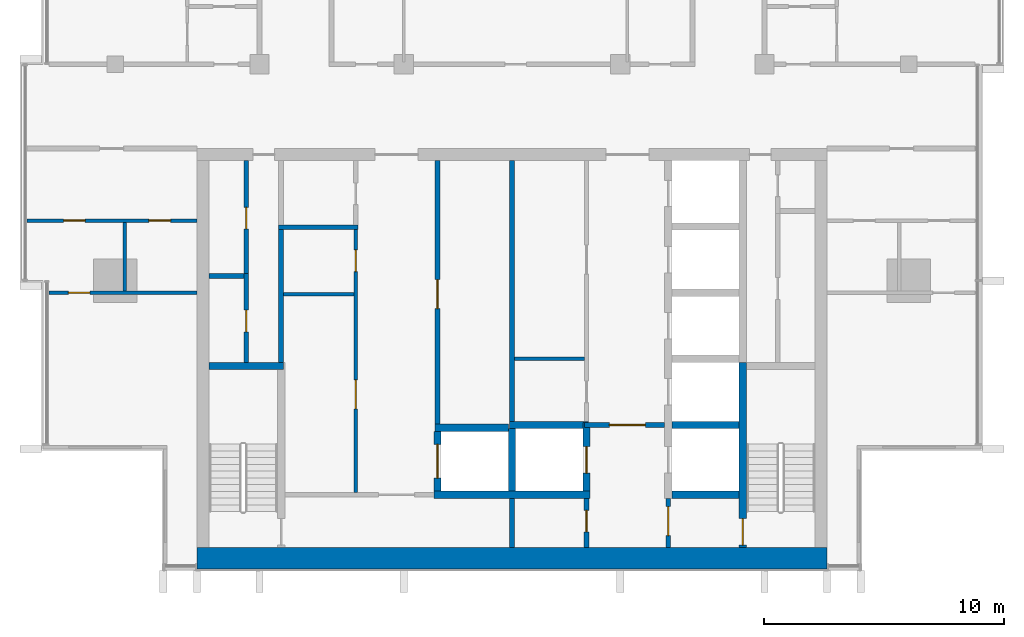
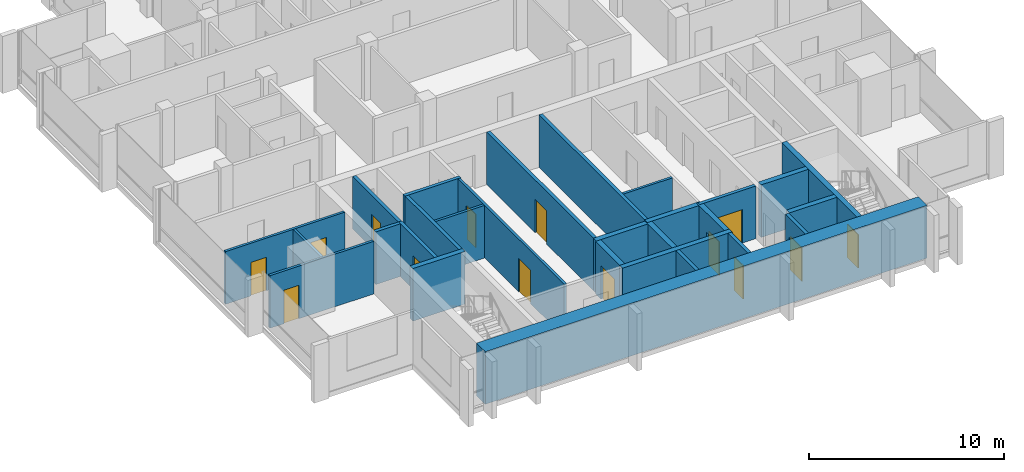
# One storey, part 7 of 16: 28 walls, 14 doors, 14 openings.
"""IFC4 building model written with IfcOpenShell, lengths in metres."""

from ifc_helpers import new_model, si_unit, direction, frame, frame_2d, origin, place, context, subcontext, project, spatial, rectangle, extrude, material, layer, layer_set, type_object, element, fill, save


model = new_model("IFC4")

# Units and contexts
model_context = context("Model", 3, precision=1e-05, world=origin(), true_north=direction((0.0, 1.0)))
body_context = subcontext(model_context, "Body", "Model", "MODEL_VIEW")
ifc_project = project(units=[si_unit("LENGTHUNIT", "METRE"), si_unit("AREAUNIT", "SQUARE_METRE"), si_unit("VOLUMEUNIT", "CUBIC_METRE"), si_unit("PLANEANGLEUNIT", "RADIAN"), si_unit("MASSUNIT", "GRAM", prefix="KILO")], contexts=[model_context])

# Site, building, storey
site_placement = place(None, origin())
site = spatial("IfcSite", under=ifc_project, at=site_placement, CompositionType="ELEMENT")
building_placement = place(site_placement, origin())
building = spatial("IfcBuilding", under=site, at=building_placement, Name="Finial Court Residences", CompositionType="ELEMENT")
storey_placement = place(building_placement, frame((0.0, 0.0, 291.5)))
storey = spatial("IfcBuildingStorey", under=building, at=storey_placement, Name="L74", CompositionType="ELEMENT", Elevation=291.5)

# Walls
ifc_material_1 = material(Name="Fire-rated gypsum board partition")
ifc_layer_1 = layer(ifc_material_1, 0.14990234375)
ifc_layer_set_1 = layer_set([ifc_layer_1], Name="Core room partition 150 EI 60")
wall_type_1 = type_object("IfcWallType", Name="Core room partition 150 EI 60", PredefinedType="PARTITIONING", material=ifc_layer_set_1)
wall_1_placement = place(storey_placement, frame((0.10009765625, -16.75, 0.0), z_axis=(0.0, 0.0, 1.0), x_axis=(1.0, 0.0, 0.0)))
element("IfcWall", 1, at=wall_1_placement, inside=storey, type_object=wall_type_1, Name="Core partition L74-10", PredefinedType="PARTITIONING", context=body_context, shape_type="SweptSolid", body=[
    extrude(rectangle(XDim=2.9248046875, YDim=0.14990234375, at=frame_2d((1.46240234375, 0.0))), origin(), (0.0, 0.0, 1.0), 3.300048828125),
])
wall_2_placement = place(storey_placement, frame((-9.5, -14.06005859375, 0.0), z_axis=(0.0, 0.0, 1.0), x_axis=(1.0, 0.0, 0.0)))
element("IfcWall", 2, at=wall_2_placement, inside=storey, type_object=wall_type_1, Name="Core partition L74-12", PredefinedType="PARTITIONING", context=body_context, shape_type="SweptSolid", body=[
    extrude(rectangle(XDim=2.925048828125, YDim=0.14990234375, at=frame_2d((1.46240234375, 0.0))), origin(), (0.0, 0.0, 1.0), 3.300048828125),
])

# Wall, openings, doors
wall_3_placement = place(storey_placement, frame((-6.5, -22.300048828125, 0.0), z_axis=(0.0, 0.0, 1.0), x_axis=(0.0, 1.0, 0.0)))
wall_3 = element("IfcWall", 3, at=wall_3_placement, inside=storey, type_object=wall_type_1, Name="Core partition L74-23", PredefinedType="PARTITIONING", context=body_context, shape_type="SweptSolid", body=[
    extrude(rectangle(XDim=10.920166015625, YDim=0.14990234375, at=frame_2d((5.4599609375, 0.0))), origin(), (0.0, 0.0, 1.0), 3.300048828125),
])
opening_1_placement = place(wall_3_placement, frame((3.469970703125, 0.0, 0.0)))
opening_1 = element("IfcOpeningElement", 4, at=opening_1_placement, cuts=wall_3, Name="Opening L74-C15", PredefinedType="OPENING", context=body_context, shape_type="SweptSolid", body=[
    extrude(rectangle(XDim=1.199951171875, YDim=2.10009765625, at=frame_2d((0.60009765625, 1.050048828125))), frame((0.0, 0.0849609375, 0.0), z_axis=(0.0, -1.0, 0.0), x_axis=(1.0, 0.0, 0.0)), (0.0, 0.0, 1.0), 0.169921875),
])
opening_2_placement = place(wall_3_placement, frame((9.179931640625, 0.0, 0.0)))
opening_2 = element("IfcOpeningElement", 5, at=opening_2_placement, cuts=wall_3, Name="Opening L74-C16", PredefinedType="OPENING", context=body_context, shape_type="SweptSolid", body=[
    extrude(rectangle(XDim=0.89990234375, YDim=2.10009765625, at=frame_2d((0.449951171875, 1.050048828125))), frame((0.0, 0.0849609375, 0.0), z_axis=(0.0, -1.0, 0.0), x_axis=(1.0, 0.0, 0.0)), (0.0, 0.0, 1.0), 0.169921875),
])
ifc_material_2 = material(Name="Steel fire door", Category="steel")
door_type_1 = type_object("IfcDoorType", Name="Core room door 1200 x 2100 EI 60", OperationType="NOTDEFINED", PredefinedType="DOOR", material=ifc_material_2)
door_1_placement = place(opening_1_placement, origin())
door_1 = element("IfcDoor", 6, at=door_1_placement, inside=storey, type_object=door_type_1, Name="Core room door L74-C15", OperationType="SINGLE_SWING_LEFT", OverallHeight=2.10009765625, OverallWidth=1.199951171875, PredefinedType="DOOR", context=body_context, shape_type="SweptSolid", body=[
    extrude(rectangle(XDim=1.199951171875, YDim=2.10009765625, at=frame_2d((0.60009765625, 1.050048828125))), frame((0.0, 0.02490234375, 0.0), z_axis=(0.0, -1.0, 0.0), x_axis=(1.0, 0.0, 0.0)), (0.0, 0.0, 1.0), 0.050048828125),
])
fill(opening_1, door_1)
door_type_2 = type_object("IfcDoorType", Name="Core room door 900 x 2100 EI 60", OperationType="NOTDEFINED", PredefinedType="DOOR", material=ifc_material_2)
door_2_placement = place(opening_2_placement, origin())
door_2 = element("IfcDoor", 7, at=door_2_placement, inside=storey, type_object=door_type_2, Name="Core room door L74-C16", OperationType="SINGLE_SWING_LEFT", OverallHeight=2.10009765625, OverallWidth=0.89990234375, PredefinedType="DOOR", context=body_context, shape_type="SweptSolid", body=[
    extrude(rectangle(XDim=0.89990234375, YDim=2.10009765625, at=frame_2d((0.449951171875, 1.050048828125))), frame((0.0, 0.02490234375, 0.0), z_axis=(0.0, -1.0, 0.0), x_axis=(1.0, 0.0, 0.0)), (0.0, 0.0, 1.0), 0.050048828125),
])
fill(opening_2, door_2)

# Wall
ifc_material_3 = material(Name="Concrete C50/60", Category="concrete")
ifc_layer_2 = layer(ifc_material_3, 0.89990234375)
ifc_layer_set_2 = layer_set([ifc_layer_2], Name="Core south facade wall 900 Concrete C50/60")
wall_type_2 = type_object("IfcWallType", Name="Core south facade wall 900 Concrete C50/60", PredefinedType="SHEAR", material=ifc_layer_set_2)
wall_4_placement = place(storey_placement, frame((-13.10009765625, -25.050048828125, 0.0), z_axis=(0.0, 0.0, 1.0), x_axis=(1.0, 0.0, 0.0)))
element("IfcWall", 8, at=wall_4_placement, inside=storey, type_object=wall_type_2, Name="Core outer wall L74-01", PredefinedType="SHEAR", context=body_context, shape_type="SweptSolid", body=[
    extrude(rectangle(XDim=26.2001953125, YDim=0.89990234375, at=frame_2d((13.10009765625, 0.0))), origin(), (0.0, 0.0, 1.0), 3.300048828125),
])

# Wall, opening, door
ifc_layer_3 = layer(ifc_material_1, 0.199951171875)
ifc_layer_set_3 = layer_set([ifc_layer_3], Name="Firefighting lobby wall 200 EI 120")
wall_type_3 = type_object("IfcWallType", Name="Firefighting lobby wall 200 EI 120", PredefinedType="PARTITIONING", material=ifc_layer_set_3)
wall_5_placement = place(storey_placement, frame((6.35009765625, -19.5, 0.0), z_axis=(0.0, 0.0, 1.0), x_axis=(-1.0, 0.0, 0.0)))
wall_5 = element("IfcWall", 9, at=wall_5_placement, inside=storey, type_object=wall_type_3, Name="Core partition L74-06", PredefinedType="PARTITIONING", context=body_context, shape_type="SweptSolid", body=[
    extrude(rectangle(XDim=3.3251953125, YDim=0.199951171875, at=frame_2d((1.66259765625, 0.0))), origin(), (0.0, 0.0, 1.0), 3.300048828125),
])
opening_3_placement = place(wall_5_placement, frame((0.800048828125, 0.0, 0.0)))
opening_3 = element("IfcOpeningElement", 10, at=opening_3_placement, cuts=wall_5, Name="Opening L74-C02", PredefinedType="OPENING", context=body_context, shape_type="SweptSolid", body=[
    extrude(rectangle(XDim=1.5, YDim=2.10009765625, at=frame_2d((0.75, 1.050048828125))), frame((0.0, 0.10986328125, 0.0), z_axis=(0.0, -1.0, 0.0), x_axis=(1.0, 0.0, 0.0)), (0.0, 0.0, 1.0), 0.219970703125),
])
door_type_3 = type_object("IfcDoorType", Name="Firefighting lobby door 1500 x 2100 EI 90", OperationType="DOUBLE_DOOR_SINGLE_SWING", PredefinedType="DOOR", material=ifc_material_2)
door_3_placement = place(opening_3_placement, origin())
door_3 = element("IfcDoor", 11, at=door_3_placement, inside=storey, type_object=door_type_3, Name="Firefighting lobby door L74-C02", OperationType="DOUBLE_DOOR_SINGLE_SWING", OverallHeight=2.10009765625, OverallWidth=1.5, PredefinedType="DOOR", context=body_context, shape_type="SweptSolid", body=[
    extrude(rectangle(XDim=1.5, YDim=2.10009765625, at=frame_2d((0.75, 1.050048828125))), frame((0.0, 0.02490234375, 0.0), z_axis=(0.0, -1.0, 0.0), x_axis=(1.0, 0.0, 0.0)), (0.0, 0.0, 1.0), 0.050048828125),
])
fill(opening_3, door_3)

wall_6_placement = place(storey_placement, frame((3.10009765625, -24.60009765625, 0.0), z_axis=(0.0, 0.0, 1.0), x_axis=(0.0, 1.0, 0.0)))
wall_6 = element("IfcWall", 12, at=wall_6_placement, inside=storey, type_object=wall_type_3, Name="Core partition L74-30", PredefinedType="PARTITIONING", context=body_context, shape_type="SweptSolid", body=[
    extrude(rectangle(XDim=2.050048828125, YDim=0.199951171875, at=frame_2d((1.02490234375, 0.0))), origin(), (0.0, 0.0, 1.0), 3.300048828125),
])
opening_4_placement = place(wall_6_placement, frame((0.64990234375, 0.0, 0.0)))
opening_4 = element("IfcOpeningElement", 13, at=opening_4_placement, cuts=wall_6, Name="Opening L74-C06", PredefinedType="OPENING", context=body_context, shape_type="SweptSolid", body=[
    extrude(rectangle(XDim=0.89990234375, YDim=2.10009765625, at=frame_2d((0.449951171875, 1.050048828125))), frame((0.0, 0.10986328125, 0.0), z_axis=(0.0, -1.0, 0.0), x_axis=(1.0, 0.0, 0.0)), (0.0, 0.0, 1.0), 0.219970703125),
])
door_type_4 = type_object("IfcDoorType", Name="Riser room door 900 x 2100 EI 90", OperationType="NOTDEFINED", PredefinedType="DOOR", material=ifc_material_2)
door_4_placement = place(opening_4_placement, origin())
door_4 = element("IfcDoor", 14, at=door_4_placement, inside=storey, type_object=door_type_4, Name="Riser room door L74-C06", OperationType="SINGLE_SWING_LEFT", OverallHeight=2.10009765625, OverallWidth=0.89990234375, PredefinedType="DOOR", context=body_context, shape_type="SweptSolid", body=[
    extrude(rectangle(XDim=0.89990234375, YDim=2.10009765625, at=frame_2d((0.449951171875, 1.050048828125))), frame((0.0, 0.02490234375, 0.0), z_axis=(0.0, -1.0, 0.0), x_axis=(1.0, 0.0, 0.0)), (0.0, 0.0, 1.0), 0.050048828125),
])
fill(opening_4, door_4)

wall_7_placement = place(storey_placement, frame((6.5, -22.550048828125, 0.0), z_axis=(0.0, 0.0, 1.0), x_axis=(0.0, -1.0, 0.0)))
wall_7 = element("IfcWall", 15, at=wall_7_placement, inside=storey, type_object=wall_type_3, Name="Core partition L74-33", PredefinedType="PARTITIONING", context=body_context, shape_type="SweptSolid", body=[
    extrude(rectangle(XDim=2.050048828125, YDim=0.199951171875, at=frame_2d((1.02490234375, 0.0))), origin(), (0.0, 0.0, 1.0), 3.300048828125),
])
opening_5_placement = place(wall_7_placement, frame((0.35009765625, 0.0, 0.0)))
opening_5 = element("IfcOpeningElement", 16, at=opening_5_placement, cuts=wall_7, Name="Opening L74-C01", PredefinedType="OPENING", context=body_context, shape_type="SweptSolid", body=[
    extrude(rectangle(XDim=1.199951171875, YDim=2.10009765625, at=frame_2d((0.60009765625, 1.050048828125))), frame((0.0, 0.10986328125, 0.0), z_axis=(0.0, -1.0, 0.0), x_axis=(1.0, 0.0, 0.0)), (0.0, 0.0, 1.0), 0.219970703125),
])
door_type_5 = type_object("IfcDoorType", Name="Firefighting lobby door 1200 x 2100 EI 90", OperationType="NOTDEFINED", PredefinedType="DOOR", material=ifc_material_2)
door_5_placement = place(opening_5_placement, origin())
door_5 = element("IfcDoor", 17, at=door_5_placement, inside=storey, type_object=door_type_5, Name="Firefighting lobby door L74-C01", OperationType="SINGLE_SWING_RIGHT", OverallHeight=2.10009765625, OverallWidth=1.199951171875, PredefinedType="DOOR", context=body_context, shape_type="SweptSolid", body=[
    extrude(rectangle(XDim=1.199951171875, YDim=2.10009765625, at=frame_2d((0.60009765625, 1.050048828125))), frame((0.0, 0.02490234375, 0.0), z_axis=(0.0, -1.0, 0.0), x_axis=(1.0, 0.0, 0.0)), (0.0, 0.0, 1.0), 0.050048828125),
])
fill(opening_5, door_5)

ifc_material_4 = material(Name="Moisture-resistant gypsum board")
ifc_layer_4 = layer(ifc_material_4, 0.012451171875)
ifc_material_5 = material(Name="Mineral wool in light-gauge frame")
ifc_layer_5 = layer(ifc_material_5, 0.125)
ifc_layer_6 = layer(ifc_material_4, 0.012451171875)
ifc_layer_set_4 = layer_set([ifc_layer_4, ifc_layer_5, ifc_layer_6], Name="Gypsum board wet-area partition 150")
wall_type_4 = type_object("IfcWallType", Name="Gypsum board wet-area partition 150", PredefinedType="PARTITIONING", material=ifc_layer_set_4)
wall_8_placement = place(storey_placement, frame((-19.262451171875, -14.0, 0.0), z_axis=(0.0, 0.0, 1.0), x_axis=(1.0, 0.0, 0.0)))
wall_8 = element("IfcWall", 18, at=wall_8_placement, inside=storey, type_object=wall_type_4, Name="Partition L74-000", PredefinedType="PARTITIONING", context=body_context, shape_type="SweptSolid", body=[
    extrude(rectangle(XDim=6.162353515625, YDim=0.14990234375, at=frame_2d((3.0810546875, 0.0))), origin(), (0.0, 0.0, 1.0), 3.300048828125),
])
opening_6_placement = place(wall_8_placement, frame((0.81201171875, 0.0, 0.0)))
opening_6 = element("IfcOpeningElement", 19, at=opening_6_placement, cuts=wall_8, Name="Opening L74-D001", PredefinedType="OPENING", context=body_context, shape_type="SweptSolid", body=[
    extrude(rectangle(XDim=0.89990234375, YDim=2.10009765625, at=frame_2d((0.449951171875, 1.050048828125))), frame((0.0, 0.0849609375, 0.0), z_axis=(0.0, -1.0, 0.0), x_axis=(1.0, 0.0, 0.0)), (0.0, 0.0, 1.0), 0.169921875),
])
ifc_material_6 = material(Name="Timber door leaf in timber frame", Category="wood")
door_type_6 = type_object("IfcDoorType", Name="Door set 900 x 2100", OperationType="SINGLE_SWING_LEFT", PredefinedType="DOOR", material=ifc_material_6)
door_6_placement = place(opening_6_placement, origin())
door_6 = element("IfcDoor", 20, at=door_6_placement, inside=storey, type_object=door_type_6, Name="Door L74-D001", OperationType="SINGLE_SWING_LEFT", OverallHeight=2.10009765625, OverallWidth=0.89990234375, PredefinedType="DOOR", context=body_context, shape_type="SweptSolid", body=[
    extrude(rectangle(XDim=0.89990234375, YDim=2.10009765625, at=frame_2d((0.449951171875, 1.050048828125))), frame((0.0, 0.02490234375, 0.0), z_axis=(0.0, -1.0, 0.0), x_axis=(1.0, 0.0, 0.0)), (0.0, 0.0, 1.0), 0.050048828125),
])
fill(opening_6, door_6)

# Wall, openings, doors
wall_9_placement = place(storey_placement, frame((-20.16259765625, -11.0, 0.0), z_axis=(0.0, 0.0, 1.0), x_axis=(1.0, 0.0, 0.0)))
wall_9 = element("IfcWall", 21, at=wall_9_placement, inside=storey, type_object=wall_type_4, Name="Partition L74-002", PredefinedType="PARTITIONING", context=body_context, shape_type="SweptSolid", body=[
    extrude(rectangle(XDim=7.0625, YDim=0.14990234375, at=frame_2d((3.53125, 0.0))), origin(), (0.0, 0.0, 1.0), 3.300048828125),
])
opening_7_placement = place(wall_9_placement, frame((1.512939453125, 0.0, 0.0)))
opening_7 = element("IfcOpeningElement", 22, at=opening_7_placement, cuts=wall_9, Name="Opening L74-D003", PredefinedType="OPENING", context=body_context, shape_type="SweptSolid", body=[
    extrude(rectangle(XDim=0.89990234375, YDim=2.10009765625, at=frame_2d((0.449951171875, 1.050048828125))), frame((0.0, 0.0849609375, 0.0), z_axis=(0.0, -1.0, 0.0), x_axis=(1.0, 0.0, 0.0)), (0.0, 0.0, 1.0), 0.169921875),
])
opening_8_placement = place(wall_9_placement, frame((5.06298828125, 0.0, 0.0)))
opening_8 = element("IfcOpeningElement", 23, at=opening_8_placement, cuts=wall_9, Name="Opening L74-D004", PredefinedType="OPENING", context=body_context, shape_type="SweptSolid", body=[
    extrude(rectangle(XDim=0.89990234375, YDim=2.10009765625, at=frame_2d((0.449951171875, 1.050048828125))), frame((0.0, 0.0849609375, 0.0), z_axis=(0.0, -1.0, 0.0), x_axis=(1.0, 0.0, 0.0)), (0.0, 0.0, 1.0), 0.169921875),
])
door_7_placement = place(opening_7_placement, origin())
door_7 = element("IfcDoor", 24, at=door_7_placement, inside=storey, type_object=door_type_6, Name="Door L74-D003", OperationType="SINGLE_SWING_LEFT", OverallHeight=2.10009765625, OverallWidth=0.89990234375, PredefinedType="DOOR", context=body_context, shape_type="SweptSolid", body=[
    extrude(rectangle(XDim=0.89990234375, YDim=2.10009765625, at=frame_2d((0.449951171875, 1.050048828125))), frame((0.0, 0.02490234375, 0.0), z_axis=(0.0, -1.0, 0.0), x_axis=(1.0, 0.0, 0.0)), (0.0, 0.0, 1.0), 0.050048828125),
])
fill(opening_7, door_7)
door_8_placement = place(opening_8_placement, origin())
door_8 = element("IfcDoor", 25, at=door_8_placement, inside=storey, type_object=door_type_6, Name="Door L74-D004", OperationType="SINGLE_SWING_RIGHT", OverallHeight=2.10009765625, OverallWidth=0.89990234375, PredefinedType="DOOR", context=body_context, shape_type="SweptSolid", body=[
    extrude(rectangle(XDim=0.89990234375, YDim=2.10009765625, at=frame_2d((0.449951171875, 1.050048828125))), frame((0.0, 0.02490234375, 0.0), z_axis=(0.0, -1.0, 0.0), x_axis=(1.0, 0.0, 0.0)), (0.0, 0.0, 1.0), 0.050048828125),
])
fill(opening_8, door_8)

# Walls
wall_10_placement = place(storey_placement, frame((-16.10009765625, -13.925048828125, 0.0), z_axis=(0.0, 0.0, 1.0), x_axis=(0.0, 1.0, 0.0)))
element("IfcWall", 26, at=wall_10_placement, inside=storey, type_object=wall_type_4, Name="Partition L74-031", PredefinedType="PARTITIONING", context=body_context, shape_type="SweptSolid", body=[
    extrude(rectangle(XDim=2.85009765625, YDim=0.14990234375, at=frame_2d((1.425048828125, 0.0))), origin(), (0.0, 0.0, 1.0), 3.300048828125),
])
ifc_layer_7 = layer(ifc_material_3, 0.300048828125)
ifc_layer_set_5 = layer_set([ifc_layer_7], Name="Lift shaft and stair wall 300 Concrete C50/60")
wall_type_5 = type_object("IfcWallType", Name="Lift shaft and stair wall 300 Concrete C50/60", PredefinedType="SHEAR", material=ifc_layer_set_5)
wall_11_placement = place(storey_placement, frame((-3.25, -22.39990234375, 0.0), z_axis=(0.0, 0.0, 1.0), x_axis=(1.0, 0.0, 0.0)))
element("IfcWall", 27, at=wall_11_placement, inside=storey, type_object=wall_type_5, Name="Core wall L74-02", PredefinedType="SHEAR", context=body_context, shape_type="SweptSolid", body=[
    extrude(rectangle(XDim=6.5, YDim=0.300048828125, at=frame_2d((3.25, 0.0))), origin(), (0.0, 0.0, 1.0), 3.300048828125),
])
wall_12_placement = place(storey_placement, frame((6.64990234375, -22.39990234375, 0.0), z_axis=(0.0, 0.0, 1.0), x_axis=(1.0, 0.0, 0.0)))
element("IfcWall", 28, at=wall_12_placement, inside=storey, type_object=wall_type_5, Name="Core wall L74-03", PredefinedType="SHEAR", context=body_context, shape_type="SweptSolid", body=[
    extrude(rectangle(XDim=2.800048828125, YDim=0.300048828125, at=frame_2d((1.39990234375, 0.0))), origin(), (0.0, 0.0, 1.0), 3.300048828125),
])
wall_13_placement = place(storey_placement, frame((-3.199951171875, -19.6201171875, 0.0), z_axis=(0.0, 0.0, 1.0), x_axis=(1.0, 0.0, 0.0)))
element("IfcWall", 29, at=wall_13_placement, inside=storey, type_object=wall_type_5, Name="Core wall L74-04", PredefinedType="SHEAR", context=body_context, shape_type="SweptSolid", body=[
    extrude(rectangle(XDim=3.050048828125, YDim=0.300048828125, at=frame_2d((1.52490234375, 0.0))), origin(), (0.0, 0.0, 1.0), 3.300048828125),
])
wall_14_placement = place(storey_placement, frame((-0.10009765625, -19.5, 0.0), z_axis=(0.0, 0.0, 1.0), x_axis=(1.0, 0.0, 0.0)))
element("IfcWall", 30, at=wall_14_placement, inside=storey, type_object=wall_type_5, Name="Core wall L74-05", PredefinedType="SHEAR", context=body_context, shape_type="SweptSolid", body=[
    extrude(rectangle(XDim=3.275146484375, YDim=0.300048828125, at=frame_2d((1.6376953125, 0.0))), origin(), (0.0, 0.0, 1.0), 3.300048828125),
])
wall_15_placement = place(storey_placement, frame((6.64990234375, -19.5, 0.0), z_axis=(0.0, 0.0, 1.0), x_axis=(1.0, 0.0, 0.0)))
element("IfcWall", 31, at=wall_15_placement, inside=storey, type_object=wall_type_5, Name="Core wall L74-07", PredefinedType="SHEAR", context=body_context, shape_type="SweptSolid", body=[
    extrude(rectangle(XDim=2.800048828125, YDim=0.300048828125, at=frame_2d((1.39990234375, 0.0))), origin(), (0.0, 0.0, 1.0), 3.300048828125),
])
wall_16_placement = place(storey_placement, frame((-12.60009765625, -17.050048828125, 0.0), z_axis=(0.0, 0.0, 1.0), x_axis=(1.0, 0.0, 0.0)))
element("IfcWall", 32, at=wall_16_placement, inside=storey, type_object=wall_type_5, Name="Core wall L74-08", PredefinedType="SHEAR", context=body_context, shape_type="SweptSolid", body=[
    extrude(rectangle(XDim=3.10009765625, YDim=0.300048828125, at=frame_2d((1.550048828125, 0.0))), origin(), (0.0, 0.0, 1.0), 3.300048828125),
])

# Wall, opening, door
wall_17_placement = place(storey_placement, frame((-3.10009765625, -22.25, 0.0), z_axis=(0.0, 0.0, 1.0), x_axis=(0.0, 1.0, 0.0)))
wall_17 = element("IfcWall", 33, at=wall_17_placement, inside=storey, type_object=wall_type_5, Name="Core wall L74-25", PredefinedType="SHEAR", context=body_context, shape_type="SweptSolid", body=[
    extrude(rectangle(XDim=2.47998046875, YDim=0.300048828125, at=frame_2d((1.239990234375, 0.0))), origin(), (0.0, 0.0, 1.0), 3.300048828125),
])
opening_9_placement = place(wall_17_placement, frame((0.5400390625, 0.0, 0.0)))
opening_9 = element("IfcOpeningElement", 34, at=opening_9_placement, cuts=wall_17, Name="Opening L74-LD07", PredefinedType="OPENING", context=body_context, shape_type="SweptSolid", body=[
    extrude(rectangle(XDim=1.39990234375, YDim=2.10009765625, at=frame_2d((0.699951171875, 1.050048828125))), frame((0.0, 0.159912109375, 0.0), z_axis=(0.0, -1.0, 0.0), x_axis=(1.0, 0.0, 0.0)), (0.0, 0.0, 1.0), 0.320068359375),
])
ifc_material_7 = material(Name="Stainless steel lift door", Category="steel")
door_type_7 = type_object("IfcDoorType", Name="Lift landing door 1400 x 2100 EI 90", OperationType="DOUBLE_DOOR_SLIDING", PredefinedType="DOOR", material=ifc_material_7)
door_9_placement = place(opening_9_placement, origin())
door_9 = element("IfcDoor", 35, at=door_9_placement, inside=storey, type_object=door_type_7, Name="Lift landing door SV1 L74", OperationType="DOUBLE_DOOR_SLIDING", OverallHeight=2.10009765625, OverallWidth=1.39990234375, PredefinedType="DOOR", context=body_context, shape_type="SweptSolid", body=[
    extrude(rectangle(XDim=1.39990234375, YDim=2.10009765625, at=frame_2d((0.699951171875, 1.050048828125))), frame((0.0, 0.02490234375, 0.0), z_axis=(0.0, -1.0, 0.0), x_axis=(1.0, 0.0, 0.0)), (0.0, 0.0, 1.0), 0.050048828125),
])
fill(opening_9, door_9)

# Wall
wall_18_placement = place(storey_placement, frame((0.0, -22.25, 0.0), z_axis=(0.0, 0.0, 1.0), x_axis=(0.0, 1.0, 0.0)))
element("IfcWall", 36, at=wall_18_placement, inside=storey, type_object=wall_type_5, Name="Core wall L74-28", PredefinedType="SHEAR", context=body_context, shape_type="SweptSolid", body=[
    extrude(rectangle(XDim=2.60009765625, YDim=0.300048828125, at=frame_2d((1.300048828125, 0.0))), origin(), (0.0, 0.0, 1.0), 3.300048828125),
])

# Wall, opening, door
wall_19_placement = place(storey_placement, frame((3.10009765625, -22.25, 0.0), z_axis=(0.0, 0.0, 1.0), x_axis=(0.0, 1.0, 0.0)))
wall_19 = element("IfcWall", 37, at=wall_19_placement, inside=storey, type_object=wall_type_5, Name="Core wall L74-31", PredefinedType="SHEAR", context=body_context, shape_type="SweptSolid", body=[
    extrude(rectangle(XDim=2.85009765625, YDim=0.300048828125, at=frame_2d((1.425048828125, 0.0))), origin(), (0.0, 0.0, 1.0), 3.300048828125),
])
opening_10_placement = place(wall_19_placement, frame((0.75, 0.0, 0.0)))
opening_10 = element("IfcOpeningElement", 38, at=opening_10_placement, cuts=wall_19, Name="Opening L74-LD01", PredefinedType="OPENING", context=body_context, shape_type="SweptSolid", body=[
    extrude(rectangle(XDim=1.10009765625, YDim=2.10009765625, at=frame_2d((0.550048828125, 1.050048828125))), frame((0.0, 0.159912109375, 0.0), z_axis=(0.0, -1.0, 0.0), x_axis=(1.0, 0.0, 0.0)), (0.0, 0.0, 1.0), 0.320068359375),
])
door_type_8 = type_object("IfcDoorType", Name="Lift landing door 1100 x 2100 EI 90", OperationType="DOUBLE_DOOR_SLIDING", PredefinedType="DOOR", material=ifc_material_7)
door_10_placement = place(opening_10_placement, origin())
door_10 = element("IfcDoor", 39, at=door_10_placement, inside=storey, type_object=door_type_8, Name="Lift landing door FF1 L74", OperationType="DOUBLE_DOOR_SLIDING", OverallHeight=2.10009765625, OverallWidth=1.10009765625, PredefinedType="DOOR", context=body_context, shape_type="SweptSolid", body=[
    extrude(rectangle(XDim=1.10009765625, YDim=2.10009765625, at=frame_2d((0.550048828125, 1.050048828125))), frame((0.0, 0.02490234375, 0.0), z_axis=(0.0, -1.0, 0.0), x_axis=(1.0, 0.0, 0.0)), (0.0, 0.0, 1.0), 0.050048828125),
])
fill(opening_10, door_10)

wall_20_placement = place(storey_placement, frame((9.60009765625, -16.89990234375, 0.0), z_axis=(0.0, 0.0, 1.0), x_axis=(0.0, -1.0, 0.0)))
wall_20 = element("IfcWall", 40, at=wall_20_placement, inside=storey, type_object=wall_type_5, Name="Core wall L74-35", PredefinedType="SHEAR", context=body_context, shape_type="SweptSolid", body=[
    extrude(rectangle(XDim=7.7001953125, YDim=0.300048828125, at=frame_2d((3.85009765625, 0.0))), origin(), (0.0, 0.0, 1.0), 3.300048828125),
])
opening_11_placement = place(wall_20_placement, frame((6.5, 0.0, 0.0)))
opening_11 = element("IfcOpeningElement", 41, at=opening_11_placement, cuts=wall_20, Name="Opening L74-C20", PredefinedType="OPENING", context=body_context, shape_type="SweptSolid", body=[
    extrude(rectangle(XDim=1.10009765625, YDim=2.10009765625, at=frame_2d((0.550048828125, 1.050048828125))), frame((0.0, 0.159912109375, 0.0), z_axis=(0.0, -1.0, 0.0), x_axis=(1.0, 0.0, 0.0)), (0.0, 0.0, 1.0), 0.320068359375),
])
door_type_9 = type_object("IfcDoorType", Name="Stair door 1100 x 2100 EI 90", OperationType="NOTDEFINED", PredefinedType="DOOR", material=ifc_material_2)
door_11_placement = place(opening_11_placement, origin())
door_11 = element("IfcDoor", 42, at=door_11_placement, inside=storey, type_object=door_type_9, Name="Stair door L74-C20", OperationType="SINGLE_SWING_RIGHT", OverallHeight=2.10009765625, OverallWidth=1.10009765625, PredefinedType="DOOR", context=body_context, shape_type="SweptSolid", body=[
    extrude(rectangle(XDim=1.10009765625, YDim=2.10009765625, at=frame_2d((0.550048828125, 1.050048828125))), frame((0.0, 0.02490234375, 0.0), z_axis=(0.0, -1.0, 0.0), x_axis=(1.0, 0.0, 0.0)), (0.0, 0.0, 1.0), 0.050048828125),
])
fill(opening_11, door_11)

# Walls
ifc_layer_8 = layer(ifc_material_1, 0.199951171875)
ifc_layer_set_6 = layer_set([ifc_layer_8], Name="Riser room wall 200 EI 120")
wall_type_6 = type_object("IfcWallType", Name="Riser room wall 200 EI 120", PredefinedType="PARTITIONING", material=ifc_layer_set_6)
wall_21_placement = place(storey_placement, frame((-12.60009765625, -13.300048828125, 0.0), z_axis=(0.0, 0.0, 1.0), x_axis=(1.0, 0.0, 0.0)))
element("IfcWall", 43, at=wall_21_placement, inside=storey, type_object=wall_type_6, Name="Core partition L74-14", PredefinedType="PARTITIONING", context=body_context, shape_type="SweptSolid", body=[
    extrude(rectangle(XDim=1.4501953125, YDim=0.199951171875, at=frame_2d((0.72509765625, 0.0))), origin(), (0.0, 0.0, 1.0), 3.300048828125),
])
wall_22_placement = place(storey_placement, frame((-9.699951171875, -11.280029296875, 0.0), z_axis=(0.0, 0.0, 1.0), x_axis=(1.0, 0.0, 0.0)))
element("IfcWall", 44, at=wall_22_placement, inside=storey, type_object=wall_type_6, Name="Core partition L74-15", PredefinedType="PARTITIONING", context=body_context, shape_type="SweptSolid", body=[
    extrude(rectangle(XDim=3.300048828125, YDim=0.199951171875, at=frame_2d((1.64990234375, 0.0))), origin(), (0.0, 0.0, 1.0), 3.300048828125),
])

# Wall, opening, door
wall_23_placement = place(storey_placement, frame((-11.050048828125, -13.39990234375, 0.0), z_axis=(0.0, 0.0, 1.0), x_axis=(0.0, 1.0, 0.0)))
wall_23 = element("IfcWall", 45, at=wall_23_placement, inside=storey, type_object=wall_type_6, Name="Core partition L74-19", PredefinedType="PARTITIONING", context=body_context, shape_type="SweptSolid", body=[
    extrude(rectangle(XDim=4.89990234375, YDim=0.199951171875, at=frame_2d((2.449951171875, 0.0))), origin(), (0.0, 0.0, 1.0), 3.300048828125),
])
opening_12_placement = place(wall_23_placement, frame((2.050048828125, 0.0, 0.0)))
opening_12 = element("IfcOpeningElement", 46, at=opening_12_placement, cuts=wall_23, Name="Opening L74-C07", PredefinedType="OPENING", context=body_context, shape_type="SweptSolid", body=[
    extrude(rectangle(XDim=0.89990234375, YDim=2.10009765625, at=frame_2d((0.449951171875, 1.050048828125))), frame((0.0, 0.10986328125, 0.0), z_axis=(0.0, -1.0, 0.0), x_axis=(1.0, 0.0, 0.0)), (0.0, 0.0, 1.0), 0.219970703125),
])
door_12_placement = place(opening_12_placement, origin())
door_12 = element("IfcDoor", 47, at=door_12_placement, inside=storey, type_object=door_type_4, Name="Riser room door L74-C07", OperationType="SINGLE_SWING_LEFT", OverallHeight=2.10009765625, OverallWidth=0.89990234375, PredefinedType="DOOR", context=body_context, shape_type="SweptSolid", body=[
    extrude(rectangle(XDim=0.89990234375, YDim=2.10009765625, at=frame_2d((0.449951171875, 1.050048828125))), frame((0.0, 0.02490234375, 0.0), z_axis=(0.0, -1.0, 0.0), x_axis=(1.0, 0.0, 0.0)), (0.0, 0.0, 1.0), 0.050048828125),
])
fill(opening_12, door_12)

wall_24_placement = place(storey_placement, frame((-3.10009765625, -8.5, 0.0), z_axis=(0.0, 0.0, 1.0), x_axis=(0.0, -1.0, 0.0)))
wall_24 = element("IfcWall", 48, at=wall_24_placement, inside=storey, type_object=wall_type_6, Name="Core partition L74-26", PredefinedType="PARTITIONING", context=body_context, shape_type="SweptSolid", body=[
    extrude(rectangle(XDim=10.969970703125, YDim=0.199951171875, at=frame_2d((5.48486328125, 0.0))), origin(), (0.0, 0.0, 1.0), 3.300048828125),
])
opening_13_placement = place(wall_24_placement, frame((4.9599609375, 0.0, 0.0)))
opening_13 = element("IfcOpeningElement", 49, at=opening_13_placement, cuts=wall_24, Name="Opening L74-C10", PredefinedType="OPENING", context=body_context, shape_type="SweptSolid", body=[
    extrude(rectangle(XDim=1.199951171875, YDim=2.10009765625, at=frame_2d((0.60009765625, 1.050048828125))), frame((0.0, 0.10986328125, 0.0), z_axis=(0.0, -1.0, 0.0), x_axis=(1.0, 0.0, 0.0)), (0.0, 0.0, 1.0), 0.219970703125),
])
door_type_10 = type_object("IfcDoorType", Name="Riser room door 1200 x 2100 EI 90", OperationType="NOTDEFINED", PredefinedType="DOOR", material=ifc_material_2)
door_13_placement = place(opening_13_placement, origin())
door_13 = element("IfcDoor", 50, at=door_13_placement, inside=storey, type_object=door_type_10, Name="Riser room door L74-C10", OperationType="SINGLE_SWING_RIGHT", OverallHeight=2.10009765625, OverallWidth=1.199951171875, PredefinedType="DOOR", context=body_context, shape_type="SweptSolid", body=[
    extrude(rectangle(XDim=1.199951171875, YDim=2.10009765625, at=frame_2d((0.60009765625, 1.050048828125))), frame((0.0, 0.02490234375, 0.0), z_axis=(0.0, -1.0, 0.0), x_axis=(1.0, 0.0, 0.0)), (0.0, 0.0, 1.0), 0.050048828125),
])
fill(opening_13, door_13)

# Walls
wall_25_placement = place(storey_placement, frame((0.0, -24.60009765625, 0.0), z_axis=(0.0, 0.0, 1.0), x_axis=(0.0, 1.0, 0.0)))
element("IfcWall", 51, at=wall_25_placement, inside=storey, type_object=wall_type_6, Name="Core partition L74-27", PredefinedType="PARTITIONING", context=body_context, shape_type="SweptSolid", body=[
    extrude(rectangle(XDim=2.050048828125, YDim=0.199951171875, at=frame_2d((1.02490234375, 0.0))), origin(), (0.0, 0.0, 1.0), 3.300048828125),
])
wall_26_placement = place(storey_placement, frame((0.0, -19.35009765625, 0.0), z_axis=(0.0, 0.0, 1.0), x_axis=(0.0, 1.0, 0.0)))
element("IfcWall", 52, at=wall_26_placement, inside=storey, type_object=wall_type_6, Name="Core partition L74-29", PredefinedType="PARTITIONING", context=body_context, shape_type="SweptSolid", body=[
    extrude(rectangle(XDim=10.85009765625, YDim=0.199951171875, at=frame_2d((5.425048828125, 0.0))), origin(), (0.0, 0.0, 1.0), 3.300048828125),
])

# Wall, opening, door
ifc_layer_9 = layer(ifc_material_1, 0.199951171875)
ifc_layer_set_7 = layer_set([ifc_layer_9], Name="Stair passage wall 200 EI 180")
wall_type_7 = type_object("IfcWallType", Name="Stair passage wall 200 EI 180", PredefinedType="PARTITIONING", material=ifc_layer_set_7)
wall_27_placement = place(storey_placement, frame((-11.050048828125, -16.89990234375, 0.0), z_axis=(0.0, 0.0, 1.0), x_axis=(0.0, 1.0, 0.0)))
wall_27 = element("IfcWall", 53, at=wall_27_placement, inside=storey, type_object=wall_type_7, Name="Core partition L74-18", PredefinedType="PARTITIONING", context=body_context, shape_type="SweptSolid", body=[
    extrude(rectangle(XDim=3.699951171875, YDim=0.199951171875, at=frame_2d((1.85009765625, 0.0))), origin(), (0.0, 0.0, 1.0), 3.300048828125),
])
opening_14_placement = place(wall_27_placement, frame((1.27490234375, 0.0, 0.0)))
opening_14 = element("IfcOpeningElement", 54, at=opening_14_placement, cuts=wall_27, Name="Opening L74-C13", PredefinedType="OPENING", context=body_context, shape_type="SweptSolid", body=[
    extrude(rectangle(XDim=0.89990234375, YDim=2.10009765625, at=frame_2d((0.449951171875, 1.050048828125))), frame((0.0, 0.10986328125, 0.0), z_axis=(0.0, -1.0, 0.0), x_axis=(1.0, 0.0, 0.0)), (0.0, 0.0, 1.0), 0.219970703125),
])
door_14_placement = place(opening_14_placement, origin())
door_14 = element("IfcDoor", 55, at=door_14_placement, inside=storey, type_object=door_type_2, Name="Core room door L74-C13", OperationType="SINGLE_SWING_LEFT", OverallHeight=2.10009765625, OverallWidth=0.89990234375, PredefinedType="DOOR", context=body_context, shape_type="SweptSolid", body=[
    extrude(rectangle(XDim=0.89990234375, YDim=2.10009765625, at=frame_2d((0.449951171875, 1.050048828125))), frame((0.0, 0.02490234375, 0.0), z_axis=(0.0, -1.0, 0.0), x_axis=(1.0, 0.0, 0.0)), (0.0, 0.0, 1.0), 0.050048828125),
])
fill(opening_14, door_14)

# Wall
wall_28_placement = place(storey_placement, frame((-9.60009765625, -16.89990234375, 0.0), z_axis=(0.0, 0.0, 1.0), x_axis=(0.0, 1.0, 0.0)))
element("IfcWall", 56, at=wall_28_placement, inside=storey, type_object=wall_type_7, Name="Core partition L74-21", PredefinedType="PARTITIONING", context=body_context, shape_type="SweptSolid", body=[
    extrude(rectangle(XDim=5.719970703125, YDim=0.199951171875, at=frame_2d((2.85986328125, 0.0))), origin(), (0.0, 0.0, 1.0), 3.300048828125),
])

save(model, "model.ifc")
